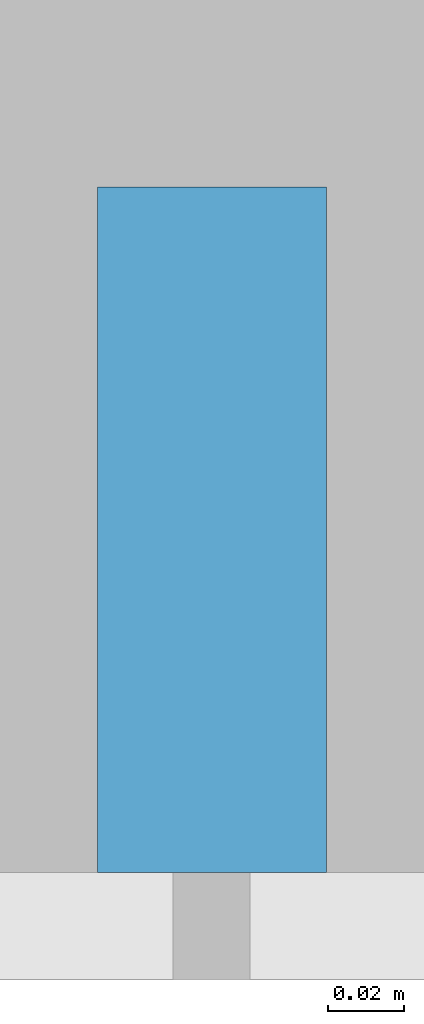
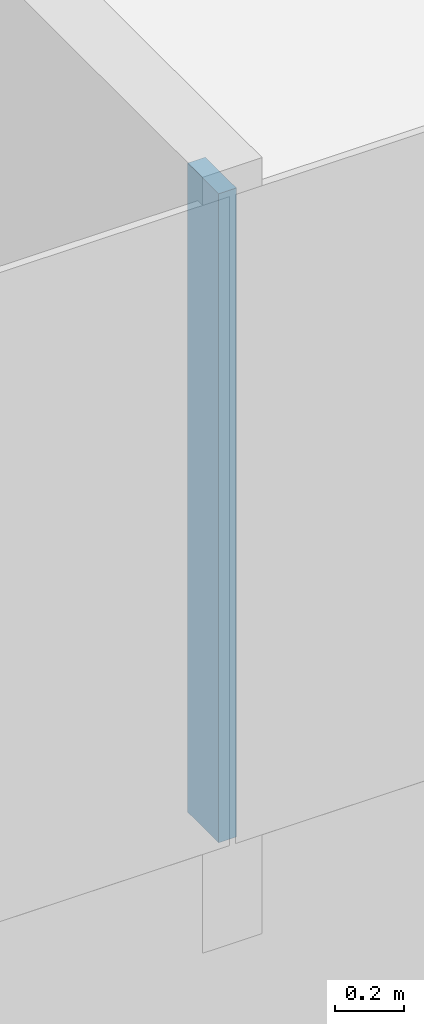
# One storey, part 3 of 26: 1 member, 1 element without a shape of its own.
"""IFC4 building model written with IfcOpenShell, lengths in metres."""

from ifc_helpers import new_model, si_unit, direction, frame, origin, origin_2d, place, context, subcontext, project, spatial, rectangle, extrude, material, layer, layer_set, material_profile, profile_set, type_object, element, aggregate, save


model = new_model("IFC4")

# Units and contexts
model_context = context("Model", 3, precision=1e-05, world=origin(), true_north=direction((0.0, 1.0)))
body_context = subcontext(model_context, "Body", "Model", "MODEL_VIEW")
ifc_project = project(units=[si_unit("LENGTHUNIT", "METRE"), si_unit("AREAUNIT", "SQUARE_METRE"), si_unit("VOLUMEUNIT", "CUBIC_METRE"), si_unit("PLANEANGLEUNIT", "RADIAN"), si_unit("MASSUNIT", "GRAM", prefix="KILO")], contexts=[model_context])

# Site, building, storey
site_placement = place(None, origin())
site = spatial("IfcSite", under=ifc_project, at=site_placement, CompositionType="ELEMENT")
building_placement = place(site_placement, origin())
building = spatial("IfcBuilding", under=site, at=building_placement, Name="Hakoniwa Tower and Hamabe Station Hall", CompositionType="ELEMENT")
storey_placement = place(building_placement, frame((0.0, 0.0, 159.800048828125)))
storey = spatial("IfcBuildingStorey", under=building, at=storey_placement, Name="L45", CompositionType="ELEMENT", Elevation=159.800048828125)

# Curtain wall, member
ifc_material_1 = material(Name="Dark low-e laminated glass", Category="glass")
ifc_layer = layer(ifc_material_1, 0.199951171875)
ifc_layer_set = layer_set([ifc_layer], Name="CW-1 UNITISED GUEST")
curtain_wall_type = type_object("IfcCurtainWallType", Name="CW-1 UNITISED GUEST", PredefinedType="NOTDEFINED", material=ifc_layer_set)
curtain_wall_placement = place(storey_placement, origin())
curtain_wall = element("IfcCurtainWall", 1, at=curtain_wall_placement, inside=storey, type_object=curtain_wall_type, Name="CW-1 curtain wall", PredefinedType="NOTDEFINED")
ifc_material_2 = material(Name="Aluminium 6063-T5 black anodised", Category="aluminium")
ifc_material_profile = material_profile(ifc_material_2, rectangle(XDim=0.06005859375, YDim=0.179931640625, at=origin_2d()), Name="CW-1 MULLION 60X180")
ifc_profile_set = profile_set([ifc_material_profile], Name="Aluminium 6063-T5 black anodised")
member_type = type_object("IfcMemberType", Name="CW-1 MULLION 60X180", PredefinedType="MULLION", material=ifc_profile_set)
member_placement = place(storey_placement, frame((-8.39990234375, -19.181884765625, 0.349853515625), z_axis=(0.0, 0.0, 1.0), x_axis=(1.0, 0.0, 0.0)))
member = element("IfcMember", 2, at=member_placement, type_object=member_type, Name="CW-1 mullion", PredefinedType="MULLION", context=body_context, shape_type="SweptSolid", body=[
    extrude(rectangle(XDim=0.06005859375, YDim=0.179931640625, at=origin_2d()), origin(), (0.0, 0.0, 1.0), 2.300048828125),
])
aggregate(curtain_wall, [member])

save(model, "model.ifc")
